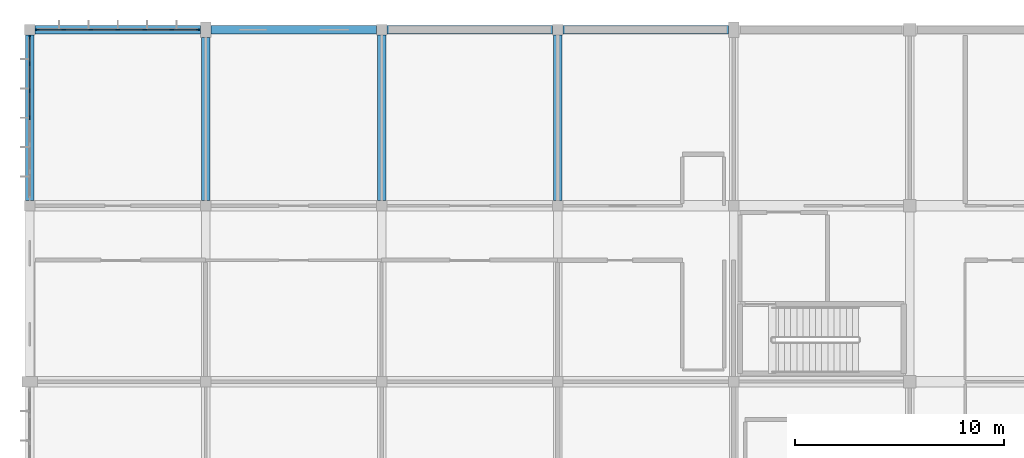
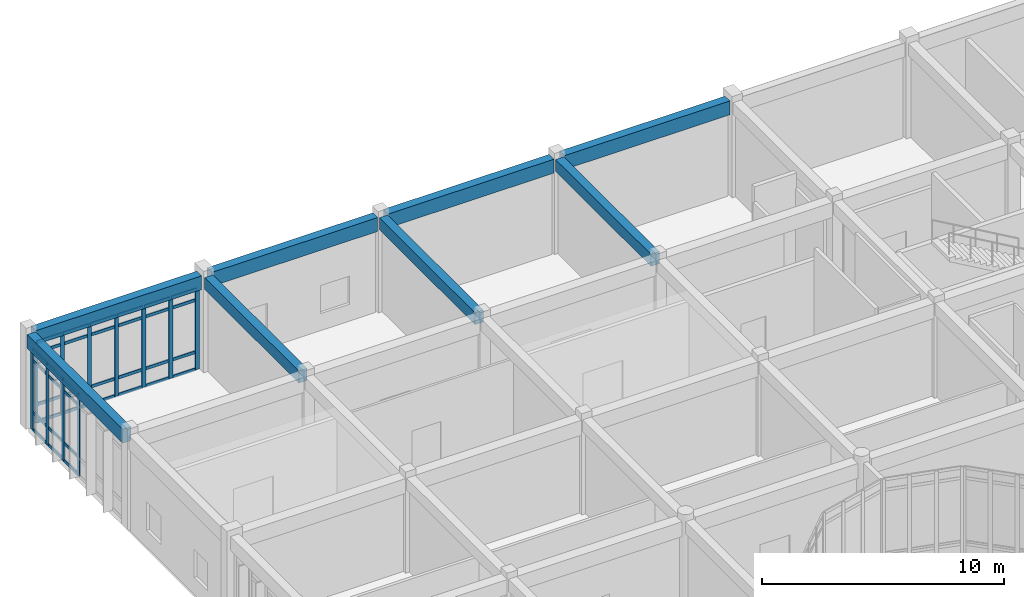
# One storey, part 40 of 134: 47 members, 8 beams, 2 elements without a shape of their own.
"""IFC4 building model written with IfcOpenShell, lengths in metres."""

from ifc_helpers import new_model, si_unit, direction, frame, origin, origin_2d, place, context, subcontext, project, spatial, rectangle, extrude, material, layer, layer_set, material_profile, profile_set, type_object, element, aggregate, save


model = new_model("IFC4")

# Units and contexts
model_context = context("Model", 3, precision=1e-05, world=origin(), true_north=direction((0.0, 1.0)))
body_context = subcontext(model_context, "Body", "Model", "MODEL_VIEW")
ifc_project = project(units=[si_unit("LENGTHUNIT", "METRE"), si_unit("AREAUNIT", "SQUARE_METRE"), si_unit("VOLUMEUNIT", "CUBIC_METRE"), si_unit("PLANEANGLEUNIT", "RADIAN"), si_unit("MASSUNIT", "GRAM", prefix="KILO")], contexts=[model_context])

# Site, building, storey
site_placement = place(None, origin())
site = spatial("IfcSite", under=ifc_project, at=site_placement, CompositionType="ELEMENT")
building_placement = place(site_placement, origin())
building = spatial("IfcBuilding", under=site, at=building_placement, Name="Bramfleet General Hospital", CompositionType="ELEMENT")
storey_placement = place(building_placement, frame((0.0, 0.0, 9.300048828125)))
storey = spatial("IfcBuildingStorey", under=building, at=storey_placement, Name="L02", CompositionType="ELEMENT", Elevation=9.300048828125)

# Beams
ifc_material_1 = material(Name="Concrete C35/45", Category="concrete")
ifc_material_profile_1 = material_profile(ifc_material_1, rectangle(XDim=0.39990234375, YDim=0.60009765625, at=origin_2d()), Name="RC BM 600x400")
ifc_profile_set_1 = profile_set([ifc_material_profile_1], Name="Concrete C35/45")
beam_type_1 = type_object("IfcBeamType", Name="BM-RC600", PredefinedType="BEAM", material=ifc_profile_set_1)
beam_1_placement = place(storey_placement, frame((8.39990234375, 109.449951171875, 4.47998046875), z_axis=(0.0, 1.0, 0.0), x_axis=(-1.0, 0.0, 0.0)))
element("IfcBeam", 1, at=beam_1_placement, inside=storey, type_object=beam_type_1, Name="L02 Grid Beam Y 01-13", PredefinedType="BEAM", context=body_context, shape_type="SweptSolid", body=[
    extrude(rectangle(XDim=0.39990234375, YDim=0.60009765625, at=origin_2d()), origin(), (0.0, 0.0, 1.0), 7.775146484375),
])
for number, where, z_axis, x_axis, name in (
    (2, (16.800048828125, 109.449951171875, 4.47998046875), (0.0, 1.0, 0.0), (-1.0, 0.0, 0.0), "L02 Grid Beam Y 02-13"),
    (3, (25.199951171875, 109.449951171875, 4.47998046875), (0.0, 1.0, 0.0), (-1.0, 0.0, 0.0), "L02 Grid Beam Y 03-13"),
):
    element("IfcBeam", number, at=place(storey_placement, frame(where, z_axis=z_axis, x_axis=x_axis)), inside=storey, type_object=beam_type_1, Name=name, PredefinedType="BEAM", context=body_context, shape_type="SweptSolid", body=[
        extrude(rectangle(XDim=0.39990234375, YDim=0.60009765625, at=origin_2d()), origin(), (0.0, 0.0, 1.0), 7.900146484375),
    ])
ifc_material_profile_2 = material_profile(ifc_material_1, rectangle(XDim=0.39990234375, YDim=0.699951171875, at=origin_2d()), Name="RC SP 700x400")
ifc_profile_set_2 = profile_set([ifc_material_profile_2], Name="Concrete C35/45")
beam_type_2 = type_object("IfcBeamType", Name="BM-SP700", PredefinedType="SPANDREL", material=ifc_profile_set_2)
beam_2_placement = place(storey_placement, frame((0.25, 117.60009765625, 4.429931640625), z_axis=(1.0, 0.0, 0.0), x_axis=(0.0, 1.0, 0.0)))
element("IfcBeam", 4, at=beam_2_placement, inside=storey, type_object=beam_type_2, Name="L02 Grid Beam X 00-14", PredefinedType="SPANDREL", context=body_context, shape_type="SweptSolid", body=[
    extrude(rectangle(XDim=0.39990234375, YDim=0.699951171875, at=origin_2d()), origin(), (0.0, 0.0, 1.0), 7.89990234375),
])
beam_3_placement = place(storey_placement, frame((8.64990234375, 117.60009765625, 4.429931640625), z_axis=(1.0, 0.0, 0.0), x_axis=(0.0, 1.0, 0.0)))
element("IfcBeam", 5, at=beam_3_placement, inside=storey, type_object=beam_type_2, Name="L02 Grid Beam X 01-14", PredefinedType="SPANDREL", context=body_context, shape_type="SweptSolid", body=[
    extrude(rectangle(XDim=0.39990234375, YDim=0.699951171875, at=origin_2d()), origin(), (0.0, 0.0, 1.0), 7.900146484375),
])
beam_4_placement = place(storey_placement, frame((17.050048828125, 117.60009765625, 4.429931640625), z_axis=(1.0, 0.0, 0.0), x_axis=(0.0, 1.0, 0.0)))
element("IfcBeam", 6, at=beam_4_placement, inside=storey, type_object=beam_type_2, Name="L02 Grid Beam X 02-14", PredefinedType="SPANDREL", context=body_context, shape_type="SweptSolid", body=[
    extrude(rectangle(XDim=0.39990234375, YDim=0.699951171875, at=origin_2d()), origin(), (0.0, 0.0, 1.0), 7.89990234375),
])
for number, where, z_axis, x_axis, name in (
    (7, (25.449951171875, 117.60009765625, 4.429931640625), (1.0, 0.0, 0.0), (0.0, 1.0, 0.0), "L02 Grid Beam X 03-14"),
    (8, (0.0, 109.449951171875, 4.429931640625), (0.0, 1.0, 0.0), (-1.0, 0.0, 0.0), "L02 Grid Beam Y 00-13"),
):
    element("IfcBeam", number, at=place(storey_placement, frame(where, z_axis=z_axis, x_axis=x_axis)), inside=storey, type_object=beam_type_2, Name=name, PredefinedType="SPANDREL", context=body_context, shape_type="SweptSolid", body=[
        extrude(rectangle(XDim=0.39990234375, YDim=0.699951171875, at=origin_2d()), origin(), (0.0, 0.0, 1.0), 7.900146484375),
    ])

# Curtain wall, members
ifc_material_2 = material(Name="Anodised aluminium and low-E triple glazing", Category="aluminium")
ifc_layer_1 = layer(ifc_material_2, 0.179931640625, Name="CWT-CW-07")
ifc_layer_set_1 = layer_set([ifc_layer_1], Name="Anodised aluminium and low-E triple glazing")
curtain_wall_type_1 = type_object("IfcCurtainWallType", Name="CWT-CW-07", PredefinedType="USERDEFINED", material=ifc_layer_set_1)
curtain_wall_1_placement = place(storey_placement, origin())
curtain_wall_1 = element("IfcCurtainWall", 9, at=curtain_wall_1_placement, inside=storey, type_object=curtain_wall_type_1, Name="L02 Curtain Wall 97", ObjectType="Unitised curtain wall", PredefinedType="USERDEFINED")
ifc_material_3 = material(Name="Structural timber GL28h", Category="wood")
ifc_material_profile_3 = material_profile(ifc_material_3, rectangle(XDim=0.070068359375, YDim=0.18994140625, at=origin_2d()), Name="LARCH 190x70")
ifc_profile_set_3 = profile_set([ifc_material_profile_3], Name="Structural timber GL28h")
member_type_1 = type_object("IfcMemberType", Name="CWM-LARCH450", PredefinedType="MULLION", material=ifc_profile_set_3)
member_1_placement = place(storey_placement, frame((0.0, 113.39990234375, 0.0), z_axis=(0.0, 0.0, 1.0), x_axis=(-1.0, 0.0, 0.0)))
member_1 = element("IfcMember", 10, at=member_1_placement, type_object=member_type_1, Name="CW-07 mullion 4", PredefinedType="MULLION", context=body_context, shape_type="SweptSolid", body=[
    extrude(rectangle(XDim=0.070068359375, YDim=0.18994140625, at=origin_2d()), origin(), (0.0, 0.0, 1.0), 4.070068359375),
])
member_2_placement = place(storey_placement, frame((0.0, 114.691650390625, 0.0), z_axis=(0.0, 0.0, 1.0), x_axis=(-1.0, 0.0, 0.0)))
member_2 = element("IfcMember", 11, at=member_2_placement, type_object=member_type_1, Name="CW-07 mullion 5", PredefinedType="MULLION", context=body_context, shape_type="SweptSolid", body=[
    extrude(rectangle(XDim=0.070068359375, YDim=0.18994140625, at=origin_2d()), origin(), (0.0, 0.0, 1.0), 4.070068359375),
])
member_3_placement = place(storey_placement, frame((0.0, 115.9833984375, 0.0), z_axis=(0.0, 0.0, 1.0), x_axis=(-1.0, 0.0, 0.0)))
member_3 = element("IfcMember", 12, at=member_3_placement, type_object=member_type_1, Name="CW-07 mullion 6", PredefinedType="MULLION", context=body_context, shape_type="SweptSolid", body=[
    extrude(rectangle(XDim=0.070068359375, YDim=0.18994140625, at=origin_2d()), origin(), (0.0, 0.0, 1.0), 4.070068359375),
])
member_4_placement = place(storey_placement, frame((0.0, 117.239990234375, 0.0), z_axis=(0.0, 0.0, 1.0), x_axis=(-1.0, 0.0, 0.0)))
member_4 = element("IfcMember", 13, at=member_4_placement, type_object=member_type_1, Name="CW-07 mullion 7", PredefinedType="MULLION", context=body_context, shape_type="SweptSolid", body=[
    extrude(rectangle(XDim=0.070068359375, YDim=0.18994140625, at=origin_2d()), origin(), (0.0, 0.0, 1.0), 4.070068359375),
])

ifc_layer_2 = layer(ifc_material_2, 0.179931640625, Name="CWT-CW-08")
ifc_layer_set_2 = layer_set([ifc_layer_2], Name="Anodised aluminium and low-E triple glazing")
curtain_wall_type_2 = type_object("IfcCurtainWallType", Name="CWT-CW-08", PredefinedType="USERDEFINED", material=ifc_layer_set_2)
curtain_wall_2_placement = place(storey_placement, origin())
curtain_wall_2 = element("IfcCurtainWall", 14, at=curtain_wall_2_placement, inside=storey, type_object=curtain_wall_type_2, Name="L02 Curtain Wall 98", ObjectType="Unitised curtain wall", PredefinedType="USERDEFINED")
member_5_placement = place(storey_placement, frame((0.360107421875, 117.60009765625, 0.0), z_axis=(0.0, 0.0, 1.0), x_axis=(0.0, 1.0, 0.0)))
member_5 = element("IfcMember", 15, at=member_5_placement, type_object=member_type_1, Name="CW-08 mullion 1", PredefinedType="MULLION", context=body_context, shape_type="SweptSolid", body=[
    extrude(rectangle(XDim=0.070068359375, YDim=0.18994140625, at=origin_2d()), origin(), (0.0, 0.0, 1.0), 4.070068359375),
])
member_6_placement = place(storey_placement, frame((1.61669921875, 117.60009765625, 0.0), z_axis=(0.0, 0.0, 1.0), x_axis=(0.0, 1.0, 0.0)))
member_6 = element("IfcMember", 16, at=member_6_placement, type_object=member_type_1, Name="CW-08 mullion 2", PredefinedType="MULLION", context=body_context, shape_type="SweptSolid", body=[
    extrude(rectangle(XDim=0.070068359375, YDim=0.18994140625, at=origin_2d()), origin(), (0.0, 0.0, 1.0), 4.070068359375),
])
member_7_placement = place(storey_placement, frame((2.908447265625, 117.60009765625, 0.0), z_axis=(0.0, 0.0, 1.0), x_axis=(0.0, 1.0, 0.0)))
member_7 = element("IfcMember", 17, at=member_7_placement, type_object=member_type_1, Name="CW-08 mullion 3", PredefinedType="MULLION", context=body_context, shape_type="SweptSolid", body=[
    extrude(rectangle(XDim=0.070068359375, YDim=0.18994140625, at=origin_2d()), origin(), (0.0, 0.0, 1.0), 4.070068359375),
])
member_8_placement = place(storey_placement, frame((4.199951171875, 117.60009765625, 0.0), z_axis=(0.0, 0.0, 1.0), x_axis=(0.0, 1.0, 0.0)))
member_8 = element("IfcMember", 18, at=member_8_placement, type_object=member_type_1, Name="CW-08 mullion 4", PredefinedType="MULLION", context=body_context, shape_type="SweptSolid", body=[
    extrude(rectangle(XDim=0.070068359375, YDim=0.18994140625, at=origin_2d()), origin(), (0.0, 0.0, 1.0), 4.070068359375),
])
member_9_placement = place(storey_placement, frame((5.49169921875, 117.60009765625, 0.0), z_axis=(0.0, 0.0, 1.0), x_axis=(0.0, 1.0, 0.0)))
member_9 = element("IfcMember", 19, at=member_9_placement, type_object=member_type_1, Name="CW-08 mullion 5", PredefinedType="MULLION", context=body_context, shape_type="SweptSolid", body=[
    extrude(rectangle(XDim=0.070068359375, YDim=0.18994140625, at=origin_2d()), origin(), (0.0, 0.0, 1.0), 4.070068359375),
])
member_10_placement = place(storey_placement, frame((6.783447265625, 117.60009765625, 0.0), z_axis=(0.0, 0.0, 1.0), x_axis=(0.0, 1.0, 0.0)))
member_10 = element("IfcMember", 20, at=member_10_placement, type_object=member_type_1, Name="CW-08 mullion 6", PredefinedType="MULLION", context=body_context, shape_type="SweptSolid", body=[
    extrude(rectangle(XDim=0.070068359375, YDim=0.18994140625, at=origin_2d()), origin(), (0.0, 0.0, 1.0), 4.070068359375),
])
member_11_placement = place(storey_placement, frame((8.0400390625, 117.60009765625, 0.0), z_axis=(0.0, 0.0, 1.0), x_axis=(0.0, 1.0, 0.0)))
member_11 = element("IfcMember", 21, at=member_11_placement, type_object=member_type_1, Name="CW-08 mullion 7", PredefinedType="MULLION", context=body_context, shape_type="SweptSolid", body=[
    extrude(rectangle(XDim=0.070068359375, YDim=0.18994140625, at=origin_2d()), origin(), (0.0, 0.0, 1.0), 4.070068359375),
])

# Member
ifc_material_profile_4 = material_profile(ifc_material_3, rectangle(XDim=0.06494140625, YDim=0.14990234375, at=origin_2d()), Name="LARCH 150x65")
ifc_profile_set_4 = profile_set([ifc_material_profile_4], Name="Structural timber GL28h")
member_type_2 = type_object("IfcMemberType", Name="CWT-LARCH220", PredefinedType="USERDEFINED", material=ifc_profile_set_4)
member_12_placement = place(storey_placement, frame((0.0, 113.43505859375, 0.032470703125), z_axis=(0.0, 1.0, 0.0), x_axis=(-1.0, 0.0, 0.0)))
member_12 = element("IfcMember", 22, at=member_12_placement, type_object=member_type_2, Name="CW-07 transom 4.1", ObjectType="TRANSOM", PredefinedType="USERDEFINED", context=body_context, shape_type="SweptSolid", body=[
    extrude(rectangle(XDim=0.06494140625, YDim=0.14990234375, at=origin_2d()), origin(), (0.0, 0.0, 1.0), 1.2216796875),
])

member_13_placement = place(storey_placement, frame((0.0, 113.43505859375, 0.89990234375), z_axis=(0.0, 1.0, 0.0), x_axis=(-1.0, 0.0, 0.0)))
member_13 = element("IfcMember", 23, at=member_13_placement, type_object=member_type_2, Name="CW-07 transom 4.2", ObjectType="TRANSOM", PredefinedType="USERDEFINED", context=body_context, shape_type="SweptSolid", body=[
    extrude(rectangle(XDim=0.06494140625, YDim=0.14990234375, at=origin_2d()), origin(), (0.0, 0.0, 1.0), 1.2216796875),
])

member_14_placement = place(storey_placement, frame((0.0, 113.43505859375, 3.52001953125), z_axis=(0.0, 1.0, 0.0), x_axis=(-1.0, 0.0, 0.0)))
member_14 = element("IfcMember", 24, at=member_14_placement, type_object=member_type_2, Name="CW-07 transom 4.3", ObjectType="TRANSOM", PredefinedType="USERDEFINED", context=body_context, shape_type="SweptSolid", body=[
    extrude(rectangle(XDim=0.06494140625, YDim=0.14990234375, at=origin_2d()), origin(), (0.0, 0.0, 1.0), 1.2216796875),
])

member_15_placement = place(storey_placement, frame((0.0, 113.43505859375, 4.037353515625), z_axis=(0.0, 1.0, 0.0), x_axis=(-1.0, 0.0, 0.0)))
member_15 = element("IfcMember", 25, at=member_15_placement, type_object=member_type_2, Name="CW-07 transom 4.4", ObjectType="TRANSOM", PredefinedType="USERDEFINED", context=body_context, shape_type="SweptSolid", body=[
    extrude(rectangle(XDim=0.06494140625, YDim=0.14990234375, at=origin_2d()), origin(), (0.0, 0.0, 1.0), 1.2216796875),
])

member_16_placement = place(storey_placement, frame((0.0, 114.7265625, 0.032470703125), z_axis=(0.0, 1.0, 0.0), x_axis=(-1.0, 0.0, 0.0)))
member_16 = element("IfcMember", 26, at=member_16_placement, type_object=member_type_2, Name="CW-07 transom 5.1", ObjectType="TRANSOM", PredefinedType="USERDEFINED", context=body_context, shape_type="SweptSolid", body=[
    extrude(rectangle(XDim=0.06494140625, YDim=0.14990234375, at=origin_2d()), origin(), (0.0, 0.0, 1.0), 1.2216796875),
])

member_17_placement = place(storey_placement, frame((0.0, 114.7265625, 0.89990234375), z_axis=(0.0, 1.0, 0.0), x_axis=(-1.0, 0.0, 0.0)))
member_17 = element("IfcMember", 27, at=member_17_placement, type_object=member_type_2, Name="CW-07 transom 5.2", ObjectType="TRANSOM", PredefinedType="USERDEFINED", context=body_context, shape_type="SweptSolid", body=[
    extrude(rectangle(XDim=0.06494140625, YDim=0.14990234375, at=origin_2d()), origin(), (0.0, 0.0, 1.0), 1.2216796875),
])

member_18_placement = place(storey_placement, frame((0.0, 114.7265625, 3.52001953125), z_axis=(0.0, 1.0, 0.0), x_axis=(-1.0, 0.0, 0.0)))
member_18 = element("IfcMember", 28, at=member_18_placement, type_object=member_type_2, Name="CW-07 transom 5.3", ObjectType="TRANSOM", PredefinedType="USERDEFINED", context=body_context, shape_type="SweptSolid", body=[
    extrude(rectangle(XDim=0.06494140625, YDim=0.14990234375, at=origin_2d()), origin(), (0.0, 0.0, 1.0), 1.2216796875),
])

member_19_placement = place(storey_placement, frame((0.0, 114.7265625, 4.037353515625), z_axis=(0.0, 1.0, 0.0), x_axis=(-1.0, 0.0, 0.0)))
member_19 = element("IfcMember", 29, at=member_19_placement, type_object=member_type_2, Name="CW-07 transom 5.4", ObjectType="TRANSOM", PredefinedType="USERDEFINED", context=body_context, shape_type="SweptSolid", body=[
    extrude(rectangle(XDim=0.06494140625, YDim=0.14990234375, at=origin_2d()), origin(), (0.0, 0.0, 1.0), 1.2216796875),
])

member_20_placement = place(storey_placement, frame((0.0, 116.018310546875, 0.032470703125), z_axis=(0.0, 1.0, 0.0), x_axis=(-1.0, 0.0, 0.0)))
member_20 = element("IfcMember", 30, at=member_20_placement, type_object=member_type_2, Name="CW-07 transom 6.1", ObjectType="TRANSOM", PredefinedType="USERDEFINED", context=body_context, shape_type="SweptSolid", body=[
    extrude(rectangle(XDim=0.06494140625, YDim=0.14990234375, at=origin_2d()), origin(), (0.0, 0.0, 1.0), 1.186767578125),
])

member_21_placement = place(storey_placement, frame((0.0, 116.018310546875, 0.89990234375), z_axis=(0.0, 1.0, 0.0), x_axis=(-1.0, 0.0, 0.0)))
member_21 = element("IfcMember", 31, at=member_21_placement, type_object=member_type_2, Name="CW-07 transom 6.2", ObjectType="TRANSOM", PredefinedType="USERDEFINED", context=body_context, shape_type="SweptSolid", body=[
    extrude(rectangle(XDim=0.06494140625, YDim=0.14990234375, at=origin_2d()), origin(), (0.0, 0.0, 1.0), 1.186767578125),
])

member_22_placement = place(storey_placement, frame((0.0, 116.018310546875, 3.52001953125), z_axis=(0.0, 1.0, 0.0), x_axis=(-1.0, 0.0, 0.0)))
member_22 = element("IfcMember", 32, at=member_22_placement, type_object=member_type_2, Name="CW-07 transom 6.3", ObjectType="TRANSOM", PredefinedType="USERDEFINED", context=body_context, shape_type="SweptSolid", body=[
    extrude(rectangle(XDim=0.06494140625, YDim=0.14990234375, at=origin_2d()), origin(), (0.0, 0.0, 1.0), 1.186767578125),
])

member_23_placement = place(storey_placement, frame((0.0, 116.018310546875, 4.037353515625), z_axis=(0.0, 1.0, 0.0), x_axis=(-1.0, 0.0, 0.0)))
member_23 = element("IfcMember", 33, at=member_23_placement, type_object=member_type_2, Name="CW-07 transom 6.4", ObjectType="TRANSOM", PredefinedType="USERDEFINED", context=body_context, shape_type="SweptSolid", body=[
    extrude(rectangle(XDim=0.06494140625, YDim=0.14990234375, at=origin_2d()), origin(), (0.0, 0.0, 1.0), 1.186767578125),
])

aggregate(curtain_wall_1, [member_1, member_2, member_3, member_4, member_12, member_13, member_14, member_15, member_16, member_17, member_18, member_19, member_20, member_21, member_22, member_23])

member_24_placement = place(storey_placement, frame((0.39501953125, 117.60009765625, 0.032470703125), z_axis=(1.0, 0.0, 0.0), x_axis=(0.0, 1.0, 0.0)))
member_24 = element("IfcMember", 34, at=member_24_placement, type_object=member_type_2, Name="CW-08 transom 1.1", ObjectType="TRANSOM", PredefinedType="USERDEFINED", context=body_context, shape_type="SweptSolid", body=[
    extrude(rectangle(XDim=0.06494140625, YDim=0.14990234375, at=origin_2d()), origin(), (0.0, 0.0, 1.0), 1.186767578125),
])

member_25_placement = place(storey_placement, frame((0.39501953125, 117.60009765625, 0.89990234375), z_axis=(1.0, 0.0, 0.0), x_axis=(0.0, 1.0, 0.0)))
member_25 = element("IfcMember", 35, at=member_25_placement, type_object=member_type_2, Name="CW-08 transom 1.2", ObjectType="TRANSOM", PredefinedType="USERDEFINED", context=body_context, shape_type="SweptSolid", body=[
    extrude(rectangle(XDim=0.06494140625, YDim=0.14990234375, at=origin_2d()), origin(), (0.0, 0.0, 1.0), 1.186767578125),
])

member_26_placement = place(storey_placement, frame((0.39501953125, 117.60009765625, 3.52001953125), z_axis=(1.0, 0.0, 0.0), x_axis=(0.0, 1.0, 0.0)))
member_26 = element("IfcMember", 36, at=member_26_placement, type_object=member_type_2, Name="CW-08 transom 1.3", ObjectType="TRANSOM", PredefinedType="USERDEFINED", context=body_context, shape_type="SweptSolid", body=[
    extrude(rectangle(XDim=0.06494140625, YDim=0.14990234375, at=origin_2d()), origin(), (0.0, 0.0, 1.0), 1.186767578125),
])

member_27_placement = place(storey_placement, frame((0.39501953125, 117.60009765625, 4.037353515625), z_axis=(1.0, 0.0, 0.0), x_axis=(0.0, 1.0, 0.0)))
member_27 = element("IfcMember", 37, at=member_27_placement, type_object=member_type_2, Name="CW-08 transom 1.4", ObjectType="TRANSOM", PredefinedType="USERDEFINED", context=body_context, shape_type="SweptSolid", body=[
    extrude(rectangle(XDim=0.06494140625, YDim=0.14990234375, at=origin_2d()), origin(), (0.0, 0.0, 1.0), 1.186767578125),
])

member_28_placement = place(storey_placement, frame((1.651611328125, 117.60009765625, 0.032470703125), z_axis=(1.0, 0.0, 0.0), x_axis=(0.0, 1.0, 0.0)))
member_28 = element("IfcMember", 38, at=member_28_placement, type_object=member_type_2, Name="CW-08 transom 2.1", ObjectType="TRANSOM", PredefinedType="USERDEFINED", context=body_context, shape_type="SweptSolid", body=[
    extrude(rectangle(XDim=0.06494140625, YDim=0.14990234375, at=origin_2d()), origin(), (0.0, 0.0, 1.0), 1.2216796875),
])

member_29_placement = place(storey_placement, frame((1.651611328125, 117.60009765625, 0.89990234375), z_axis=(1.0, 0.0, 0.0), x_axis=(0.0, 1.0, 0.0)))
member_29 = element("IfcMember", 39, at=member_29_placement, type_object=member_type_2, Name="CW-08 transom 2.2", ObjectType="TRANSOM", PredefinedType="USERDEFINED", context=body_context, shape_type="SweptSolid", body=[
    extrude(rectangle(XDim=0.06494140625, YDim=0.14990234375, at=origin_2d()), origin(), (0.0, 0.0, 1.0), 1.2216796875),
])

member_30_placement = place(storey_placement, frame((1.651611328125, 117.60009765625, 3.52001953125), z_axis=(1.0, 0.0, 0.0), x_axis=(0.0, 1.0, 0.0)))
member_30 = element("IfcMember", 40, at=member_30_placement, type_object=member_type_2, Name="CW-08 transom 2.3", ObjectType="TRANSOM", PredefinedType="USERDEFINED", context=body_context, shape_type="SweptSolid", body=[
    extrude(rectangle(XDim=0.06494140625, YDim=0.14990234375, at=origin_2d()), origin(), (0.0, 0.0, 1.0), 1.2216796875),
])

member_31_placement = place(storey_placement, frame((1.651611328125, 117.60009765625, 4.037353515625), z_axis=(1.0, 0.0, 0.0), x_axis=(0.0, 1.0, 0.0)))
member_31 = element("IfcMember", 41, at=member_31_placement, type_object=member_type_2, Name="CW-08 transom 2.4", ObjectType="TRANSOM", PredefinedType="USERDEFINED", context=body_context, shape_type="SweptSolid", body=[
    extrude(rectangle(XDim=0.06494140625, YDim=0.14990234375, at=origin_2d()), origin(), (0.0, 0.0, 1.0), 1.2216796875),
])

member_32_placement = place(storey_placement, frame((2.943359375, 117.60009765625, 0.032470703125), z_axis=(1.0, 0.0, 0.0), x_axis=(0.0, 1.0, 0.0)))
member_32 = element("IfcMember", 42, at=member_32_placement, type_object=member_type_2, Name="CW-08 transom 3.1", ObjectType="TRANSOM", PredefinedType="USERDEFINED", context=body_context, shape_type="SweptSolid", body=[
    extrude(rectangle(XDim=0.06494140625, YDim=0.14990234375, at=origin_2d()), origin(), (0.0, 0.0, 1.0), 1.2216796875),
])

member_33_placement = place(storey_placement, frame((2.943359375, 117.60009765625, 0.89990234375), z_axis=(1.0, 0.0, 0.0), x_axis=(0.0, 1.0, 0.0)))
member_33 = element("IfcMember", 43, at=member_33_placement, type_object=member_type_2, Name="CW-08 transom 3.2", ObjectType="TRANSOM", PredefinedType="USERDEFINED", context=body_context, shape_type="SweptSolid", body=[
    extrude(rectangle(XDim=0.06494140625, YDim=0.14990234375, at=origin_2d()), origin(), (0.0, 0.0, 1.0), 1.2216796875),
])

member_34_placement = place(storey_placement, frame((2.943359375, 117.60009765625, 3.52001953125), z_axis=(1.0, 0.0, 0.0), x_axis=(0.0, 1.0, 0.0)))
member_34 = element("IfcMember", 44, at=member_34_placement, type_object=member_type_2, Name="CW-08 transom 3.3", ObjectType="TRANSOM", PredefinedType="USERDEFINED", context=body_context, shape_type="SweptSolid", body=[
    extrude(rectangle(XDim=0.06494140625, YDim=0.14990234375, at=origin_2d()), origin(), (0.0, 0.0, 1.0), 1.2216796875),
])

member_35_placement = place(storey_placement, frame((2.943359375, 117.60009765625, 4.037353515625), z_axis=(1.0, 0.0, 0.0), x_axis=(0.0, 1.0, 0.0)))
member_35 = element("IfcMember", 45, at=member_35_placement, type_object=member_type_2, Name="CW-08 transom 3.4", ObjectType="TRANSOM", PredefinedType="USERDEFINED", context=body_context, shape_type="SweptSolid", body=[
    extrude(rectangle(XDim=0.06494140625, YDim=0.14990234375, at=origin_2d()), origin(), (0.0, 0.0, 1.0), 1.2216796875),
])

member_36_placement = place(storey_placement, frame((4.235107421875, 117.60009765625, 0.032470703125), z_axis=(1.0, 0.0, 0.0), x_axis=(0.0, 1.0, 0.0)))
member_36 = element("IfcMember", 46, at=member_36_placement, type_object=member_type_2, Name="CW-08 transom 4.1", ObjectType="TRANSOM", PredefinedType="USERDEFINED", context=body_context, shape_type="SweptSolid", body=[
    extrude(rectangle(XDim=0.06494140625, YDim=0.14990234375, at=origin_2d()), origin(), (0.0, 0.0, 1.0), 1.2216796875),
])

member_37_placement = place(storey_placement, frame((4.235107421875, 117.60009765625, 0.89990234375), z_axis=(1.0, 0.0, 0.0), x_axis=(0.0, 1.0, 0.0)))
member_37 = element("IfcMember", 47, at=member_37_placement, type_object=member_type_2, Name="CW-08 transom 4.2", ObjectType="TRANSOM", PredefinedType="USERDEFINED", context=body_context, shape_type="SweptSolid", body=[
    extrude(rectangle(XDim=0.06494140625, YDim=0.14990234375, at=origin_2d()), origin(), (0.0, 0.0, 1.0), 1.2216796875),
])

member_38_placement = place(storey_placement, frame((4.235107421875, 117.60009765625, 3.52001953125), z_axis=(1.0, 0.0, 0.0), x_axis=(0.0, 1.0, 0.0)))
member_38 = element("IfcMember", 48, at=member_38_placement, type_object=member_type_2, Name="CW-08 transom 4.3", ObjectType="TRANSOM", PredefinedType="USERDEFINED", context=body_context, shape_type="SweptSolid", body=[
    extrude(rectangle(XDim=0.06494140625, YDim=0.14990234375, at=origin_2d()), origin(), (0.0, 0.0, 1.0), 1.2216796875),
])

member_39_placement = place(storey_placement, frame((4.235107421875, 117.60009765625, 4.037353515625), z_axis=(1.0, 0.0, 0.0), x_axis=(0.0, 1.0, 0.0)))
member_39 = element("IfcMember", 49, at=member_39_placement, type_object=member_type_2, Name="CW-08 transom 4.4", ObjectType="TRANSOM", PredefinedType="USERDEFINED", context=body_context, shape_type="SweptSolid", body=[
    extrude(rectangle(XDim=0.06494140625, YDim=0.14990234375, at=origin_2d()), origin(), (0.0, 0.0, 1.0), 1.2216796875),
])

member_40_placement = place(storey_placement, frame((5.526611328125, 117.60009765625, 0.032470703125), z_axis=(1.0, 0.0, 0.0), x_axis=(0.0, 1.0, 0.0)))
member_40 = element("IfcMember", 50, at=member_40_placement, type_object=member_type_2, Name="CW-08 transom 5.1", ObjectType="TRANSOM", PredefinedType="USERDEFINED", context=body_context, shape_type="SweptSolid", body=[
    extrude(rectangle(XDim=0.06494140625, YDim=0.14990234375, at=origin_2d()), origin(), (0.0, 0.0, 1.0), 1.2216796875),
])

member_41_placement = place(storey_placement, frame((5.526611328125, 117.60009765625, 0.89990234375), z_axis=(1.0, 0.0, 0.0), x_axis=(0.0, 1.0, 0.0)))
member_41 = element("IfcMember", 51, at=member_41_placement, type_object=member_type_2, Name="CW-08 transom 5.2", ObjectType="TRANSOM", PredefinedType="USERDEFINED", context=body_context, shape_type="SweptSolid", body=[
    extrude(rectangle(XDim=0.06494140625, YDim=0.14990234375, at=origin_2d()), origin(), (0.0, 0.0, 1.0), 1.2216796875),
])

member_42_placement = place(storey_placement, frame((5.526611328125, 117.60009765625, 3.52001953125), z_axis=(1.0, 0.0, 0.0), x_axis=(0.0, 1.0, 0.0)))
member_42 = element("IfcMember", 52, at=member_42_placement, type_object=member_type_2, Name="CW-08 transom 5.3", ObjectType="TRANSOM", PredefinedType="USERDEFINED", context=body_context, shape_type="SweptSolid", body=[
    extrude(rectangle(XDim=0.06494140625, YDim=0.14990234375, at=origin_2d()), origin(), (0.0, 0.0, 1.0), 1.2216796875),
])

member_43_placement = place(storey_placement, frame((5.526611328125, 117.60009765625, 4.037353515625), z_axis=(1.0, 0.0, 0.0), x_axis=(0.0, 1.0, 0.0)))
member_43 = element("IfcMember", 53, at=member_43_placement, type_object=member_type_2, Name="CW-08 transom 5.4", ObjectType="TRANSOM", PredefinedType="USERDEFINED", context=body_context, shape_type="SweptSolid", body=[
    extrude(rectangle(XDim=0.06494140625, YDim=0.14990234375, at=origin_2d()), origin(), (0.0, 0.0, 1.0), 1.2216796875),
])

member_44_placement = place(storey_placement, frame((6.818359375, 117.60009765625, 0.032470703125), z_axis=(1.0, 0.0, 0.0), x_axis=(0.0, 1.0, 0.0)))
member_44 = element("IfcMember", 54, at=member_44_placement, type_object=member_type_2, Name="CW-08 transom 6.1", ObjectType="TRANSOM", PredefinedType="USERDEFINED", context=body_context, shape_type="SweptSolid", body=[
    extrude(rectangle(XDim=0.06494140625, YDim=0.14990234375, at=origin_2d()), origin(), (0.0, 0.0, 1.0), 1.1865234375),
])

member_45_placement = place(storey_placement, frame((6.818359375, 117.60009765625, 0.89990234375), z_axis=(1.0, 0.0, 0.0), x_axis=(0.0, 1.0, 0.0)))
member_45 = element("IfcMember", 55, at=member_45_placement, type_object=member_type_2, Name="CW-08 transom 6.2", ObjectType="TRANSOM", PredefinedType="USERDEFINED", context=body_context, shape_type="SweptSolid", body=[
    extrude(rectangle(XDim=0.06494140625, YDim=0.14990234375, at=origin_2d()), origin(), (0.0, 0.0, 1.0), 1.1865234375),
])

member_46_placement = place(storey_placement, frame((6.818359375, 117.60009765625, 3.52001953125), z_axis=(1.0, 0.0, 0.0), x_axis=(0.0, 1.0, 0.0)))
member_46 = element("IfcMember", 56, at=member_46_placement, type_object=member_type_2, Name="CW-08 transom 6.3", ObjectType="TRANSOM", PredefinedType="USERDEFINED", context=body_context, shape_type="SweptSolid", body=[
    extrude(rectangle(XDim=0.06494140625, YDim=0.14990234375, at=origin_2d()), origin(), (0.0, 0.0, 1.0), 1.1865234375),
])

member_47_placement = place(storey_placement, frame((6.818359375, 117.60009765625, 4.037353515625), z_axis=(1.0, 0.0, 0.0), x_axis=(0.0, 1.0, 0.0)))
member_47 = element("IfcMember", 57, at=member_47_placement, type_object=member_type_2, Name="CW-08 transom 6.4", ObjectType="TRANSOM", PredefinedType="USERDEFINED", context=body_context, shape_type="SweptSolid", body=[
    extrude(rectangle(XDim=0.06494140625, YDim=0.14990234375, at=origin_2d()), origin(), (0.0, 0.0, 1.0), 1.1865234375),
])

aggregate(curtain_wall_2, [member_5, member_6, member_7, member_8, member_9, member_10, member_11, member_24, member_25, member_26, member_27, member_28, member_29, member_30, member_31, member_32, member_33, member_34, member_35, member_36, member_37, member_38, member_39, member_40, member_41, member_42, member_43, member_44, member_45, member_46, member_47])

save(model, "model.ifc")
